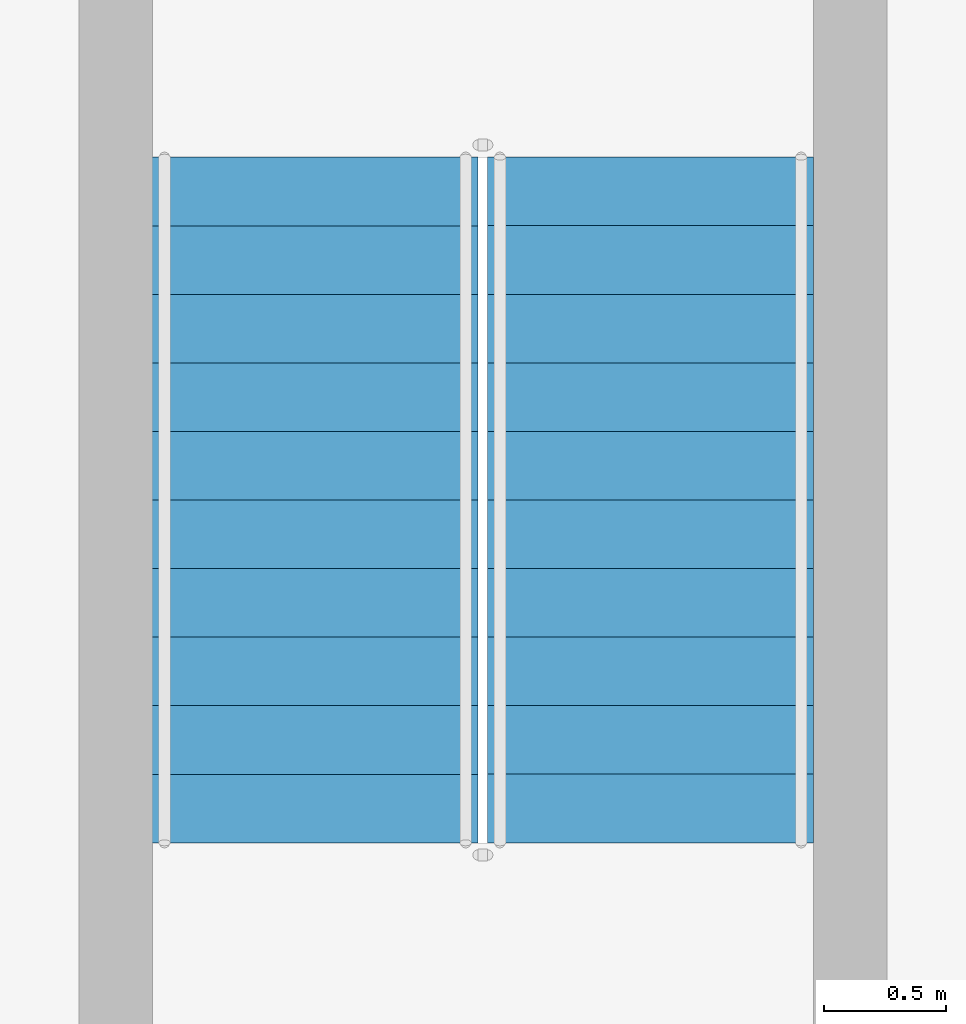
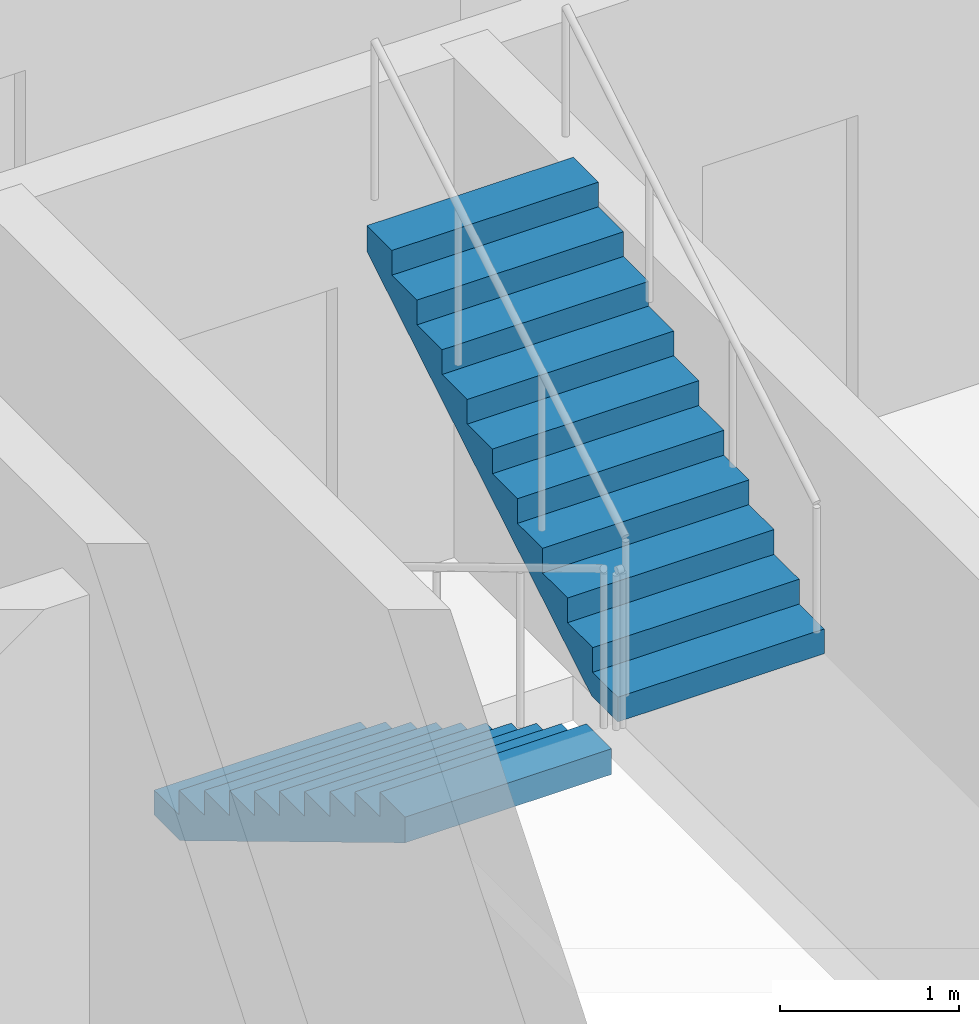
# One storey, part 16 of 23: 2 stair flights, 1 element without a shape of its own.
"""IFC4 building model written with IfcOpenShell, lengths in metres."""

from ifc_helpers import new_model, si_unit, direction, frame, origin, place, context, subcontext, project, spatial, triangles, source, transform, mapped, material, type_object, element, aggregate, save


model = new_model("IFC4")

# Units and contexts
model_context = context("Model", 3, precision=1e-05, world=origin(), true_north=direction((0.0, 1.0)))
body_context = subcontext(model_context, "Body", "Model", "MODEL_VIEW")
ifc_project = project(units=[si_unit("LENGTHUNIT", "METRE"), si_unit("AREAUNIT", "SQUARE_METRE"), si_unit("VOLUMEUNIT", "CUBIC_METRE"), si_unit("PLANEANGLEUNIT", "RADIAN"), si_unit("MASSUNIT", "GRAM", prefix="KILO")], contexts=[model_context])

# Site, building, storey
site_placement = place(None, origin())
site = spatial("IfcSite", under=ifc_project, at=site_placement, CompositionType="ELEMENT")
building_placement = place(site_placement, origin())
building = spatial("IfcBuilding", under=site, at=building_placement, Name="Ogive Portal Towers", CompositionType="ELEMENT")
storey_placement = place(building_placement, frame((0.0, 0.0, 186.60009765625)))
storey = spatial("IfcBuildingStorey", under=building, at=storey_placement, Name="L46", CompositionType="ELEMENT", Elevation=186.60009765625)

# Stair, stair flights
ifc_material = material(Name="Concrete C40/50", Category="concrete")
stair_type = type_object("IfcStairType", Name="INT-STAIR", PredefinedType="HALF_TURN_STAIR", material=ifc_material)
stair_placement = place(storey_placement, origin())
stair = element("IfcStair", 1, at=stair_placement, inside=storey, type_object=stair_type, Name="L46 Exit Stair ST-A4", PredefinedType="HALF_TURN_STAIR")
stair_flight_type = type_object("IfcStairFlightType", Name="INT-FLIGHT", PredefinedType="STRAIGHT", material=ifc_material)
shared_shape = source(origin(), body_context, "Body", "Tessellation", [
    triangles([(0.0, -0.6650390625, 0.0), (0.0, -0.384765625, 0.0), (0.0, -0.197021484375, 0.0), (0.0, -0.0830078125, 0.0), (0.0, -0.024658203125, 0.0), (0.0, -0.003173828125, 0.0), (0.0, 0.0, 0.0), (0.0, 0.003173828125, 0.0), (0.0, 0.024658203125, 0.0), (0.0, 0.0830078125, 0.0), (0.0, 0.197021484375, 0.0), (0.0, 0.384765625, 0.0), (0.0, 0.6650390625, 0.0), (0.0, -0.6650390625, 0.168212890625), (0.0, -0.384765625, 0.168212890625), (0.0, -0.197021484375, 0.168212890625), (0.0, -0.0830078125, 0.168212890625), (0.0, -0.024658203125, 0.168212890625), (0.0, -0.003173828125, 0.168212890625), (0.0, 0.0, 0.168212890625), (0.0, 0.003173828125, 0.168212890625), (0.0, 0.024658203125, 0.168212890625), (0.0, 0.0830078125, 0.168212890625), (0.0, 0.197021484375, 0.168212890625), (0.0, 0.384765625, 0.168212890625), (0.0, 0.6650390625, 0.168212890625), (0.280029296875, -0.6650390625, 0.168212890625), (0.280029296875, -0.384765625, 0.168212890625), (0.280029296875, -0.197021484375, 0.168212890625), (0.280029296875, -0.0830078125, 0.168212890625), (0.280029296875, -0.024658203125, 0.168212890625), (0.280029296875, -0.003173828125, 0.168212890625), (0.280029296875, 0.0, 0.168212890625), (0.280029296875, 0.003173828125, 0.168212890625), (0.280029296875, 0.024658203125, 0.168212890625), (0.280029296875, 0.0830078125, 0.168212890625), (0.280029296875, 0.197021484375, 0.168212890625), (0.280029296875, 0.384765625, 0.168212890625), (0.280029296875, 0.6650390625, 0.168212890625), (0.280029296875, -0.6650390625, 0.33642578125), (0.280029296875, -0.384765625, 0.33642578125), (0.280029296875, -0.197021484375, 0.33642578125), (0.280029296875, -0.0830078125, 0.33642578125), (0.280029296875, -0.024658203125, 0.33642578125), (0.280029296875, -0.003173828125, 0.33642578125), (0.280029296875, 0.0, 0.33642578125), (0.280029296875, 0.003173828125, 0.33642578125), (0.280029296875, 0.024658203125, 0.33642578125), (0.280029296875, 0.0830078125, 0.33642578125), (0.280029296875, 0.197021484375, 0.33642578125), (0.280029296875, 0.384765625, 0.33642578125), (0.280029296875, 0.6650390625, 0.33642578125), (0.56005859375, -0.6650390625, 0.33642578125), (0.56005859375, -0.384765625, 0.33642578125), (0.56005859375, -0.197021484375, 0.33642578125), (0.56005859375, -0.0830078125, 0.33642578125), (0.56005859375, -0.024658203125, 0.33642578125), (0.56005859375, -0.003173828125, 0.33642578125), (0.56005859375, 0.0, 0.33642578125), (0.56005859375, 0.003173828125, 0.33642578125), (0.56005859375, 0.024658203125, 0.33642578125), (0.56005859375, 0.0830078125, 0.33642578125), (0.56005859375, 0.197021484375, 0.33642578125), (0.56005859375, 0.384765625, 0.33642578125), (0.56005859375, 0.6650390625, 0.33642578125), (0.56005859375, -0.6650390625, 0.504638671875), (0.56005859375, -0.384765625, 0.504638671875), (0.56005859375, -0.197021484375, 0.504638671875), (0.56005859375, -0.0830078125, 0.504638671875), (0.56005859375, -0.024658203125, 0.504638671875), (0.56005859375, -0.003173828125, 0.504638671875), (0.56005859375, 0.0, 0.504638671875), (0.56005859375, 0.003173828125, 0.504638671875), (0.56005859375, 0.024658203125, 0.504638671875), (0.56005859375, 0.0830078125, 0.504638671875), (0.56005859375, 0.197021484375, 0.504638671875), (0.56005859375, 0.384765625, 0.504638671875), (0.56005859375, 0.6650390625, 0.504638671875), (0.840087890625, -0.6650390625, 0.504638671875), (0.840087890625, -0.384765625, 0.504638671875), (0.840087890625, -0.197021484375, 0.504638671875), (0.840087890625, -0.0830078125, 0.504638671875), (0.840087890625, -0.024658203125, 0.504638671875), (0.840087890625, -0.003173828125, 0.504638671875), (0.840087890625, 0.0, 0.504638671875), (0.840087890625, 0.003173828125, 0.504638671875), (0.840087890625, 0.024658203125, 0.504638671875), (0.840087890625, 0.0830078125, 0.504638671875), (0.840087890625, 0.197021484375, 0.504638671875), (0.840087890625, 0.384765625, 0.504638671875), (0.840087890625, 0.6650390625, 0.504638671875), (0.840087890625, -0.6650390625, 0.672607421875), (0.840087890625, -0.384765625, 0.672607421875), (0.840087890625, -0.197021484375, 0.672607421875), (0.840087890625, -0.0830078125, 0.672607421875), (0.840087890625, -0.024658203125, 0.672607421875), (0.840087890625, -0.003173828125, 0.672607421875), (0.840087890625, 0.0, 0.672607421875), (0.840087890625, 0.003173828125, 0.672607421875), (0.840087890625, 0.024658203125, 0.672607421875), (0.840087890625, 0.0830078125, 0.672607421875), (0.840087890625, 0.197021484375, 0.672607421875), (0.840087890625, 0.384765625, 0.672607421875), (0.840087890625, 0.6650390625, 0.672607421875), (1.1201171875, -0.6650390625, 0.672607421875), (1.1201171875, -0.384765625, 0.672607421875), (1.1201171875, -0.197021484375, 0.672607421875), (1.1201171875, -0.0830078125, 0.672607421875), (1.1201171875, -0.024658203125, 0.672607421875), (1.1201171875, -0.003173828125, 0.672607421875), (1.1201171875, 0.0, 0.672607421875), (1.1201171875, 0.003173828125, 0.672607421875), (1.1201171875, 0.024658203125, 0.672607421875), (1.1201171875, 0.0830078125, 0.672607421875), (1.1201171875, 0.197021484375, 0.672607421875), (1.1201171875, 0.384765625, 0.672607421875), (1.1201171875, 0.6650390625, 0.672607421875), (1.1201171875, -0.6650390625, 0.8408203125), (1.1201171875, -0.384765625, 0.8408203125), (1.1201171875, -0.197021484375, 0.8408203125), (1.1201171875, -0.0830078125, 0.8408203125), (1.1201171875, -0.024658203125, 0.8408203125), (1.1201171875, -0.003173828125, 0.8408203125), (1.1201171875, 0.0, 0.8408203125), (1.1201171875, 0.003173828125, 0.8408203125), (1.1201171875, 0.024658203125, 0.8408203125), (1.1201171875, 0.0830078125, 0.8408203125), (1.1201171875, 0.197021484375, 0.8408203125), (1.1201171875, 0.384765625, 0.8408203125), (1.1201171875, 0.6650390625, 0.8408203125), (1.39990234375, -0.6650390625, 0.8408203125), (1.39990234375, -0.384765625, 0.8408203125), (1.39990234375, -0.197021484375, 0.8408203125), (1.39990234375, -0.0830078125, 0.8408203125), (1.39990234375, -0.024658203125, 0.8408203125), (1.39990234375, -0.003173828125, 0.8408203125), (1.39990234375, 0.0, 0.8408203125), (1.39990234375, 0.003173828125, 0.8408203125), (1.39990234375, 0.024658203125, 0.8408203125), (1.39990234375, 0.0830078125, 0.8408203125), (1.39990234375, 0.197021484375, 0.8408203125), (1.39990234375, 0.384765625, 0.8408203125), (1.39990234375, 0.6650390625, 0.8408203125), (1.39990234375, -0.6650390625, 1.009033203125), (1.39990234375, -0.384765625, 1.009033203125), (1.39990234375, -0.197021484375, 1.009033203125), (1.39990234375, -0.0830078125, 1.009033203125), (1.39990234375, -0.024658203125, 1.009033203125), (1.39990234375, -0.003173828125, 1.009033203125), (1.39990234375, 0.0, 1.009033203125), (1.39990234375, 0.003173828125, 1.009033203125), (1.39990234375, 0.024658203125, 1.009033203125), (1.39990234375, 0.0830078125, 1.009033203125), (1.39990234375, 0.197021484375, 1.009033203125), (1.39990234375, 0.384765625, 1.009033203125), (1.39990234375, 0.6650390625, 1.009033203125), (1.679931640625, -0.6650390625, 1.009033203125), (1.679931640625, -0.384765625, 1.009033203125), (1.679931640625, -0.197021484375, 1.009033203125), (1.679931640625, -0.0830078125, 1.009033203125), (1.679931640625, -0.024658203125, 1.009033203125), (1.679931640625, -0.003173828125, 1.009033203125), (1.679931640625, 0.0, 1.009033203125), (1.679931640625, 0.003173828125, 1.009033203125), (1.679931640625, 0.024658203125, 1.009033203125), (1.679931640625, 0.0830078125, 1.009033203125), (1.679931640625, 0.197021484375, 1.009033203125), (1.679931640625, 0.384765625, 1.009033203125), (1.679931640625, 0.6650390625, 1.009033203125), (1.679931640625, -0.6650390625, 1.17724609375), (1.679931640625, -0.384765625, 1.17724609375), (1.679931640625, -0.197021484375, 1.17724609375), (1.679931640625, -0.0830078125, 1.17724609375), (1.679931640625, -0.024658203125, 1.17724609375), (1.679931640625, -0.003173828125, 1.17724609375), (1.679931640625, 0.0, 1.17724609375), (1.679931640625, 0.003173828125, 1.17724609375), (1.679931640625, 0.024658203125, 1.17724609375), (1.679931640625, 0.0830078125, 1.17724609375), (1.679931640625, 0.197021484375, 1.17724609375), (1.679931640625, 0.384765625, 1.17724609375), (1.679931640625, 0.6650390625, 1.17724609375), (1.9599609375, -0.6650390625, 1.17724609375), (1.9599609375, -0.384765625, 1.17724609375), (1.9599609375, -0.197021484375, 1.17724609375), (1.9599609375, -0.0830078125, 1.17724609375), (1.9599609375, -0.024658203125, 1.17724609375), (1.9599609375, -0.003173828125, 1.17724609375), (1.9599609375, 0.0, 1.17724609375), (1.9599609375, 0.003173828125, 1.17724609375), (1.9599609375, 0.024658203125, 1.17724609375), (1.9599609375, 0.0830078125, 1.17724609375), (1.9599609375, 0.197021484375, 1.17724609375), (1.9599609375, 0.384765625, 1.17724609375), (1.9599609375, 0.6650390625, 1.17724609375), (1.9599609375, -0.6650390625, 1.345458984375), (1.9599609375, -0.384765625, 1.345458984375), (1.9599609375, -0.197021484375, 1.345458984375), (1.9599609375, -0.0830078125, 1.345458984375), (1.9599609375, -0.024658203125, 1.345458984375), (1.9599609375, -0.003173828125, 1.345458984375), (1.9599609375, 0.0, 1.345458984375), (1.9599609375, 0.003173828125, 1.345458984375), (1.9599609375, 0.024658203125, 1.345458984375), (1.9599609375, 0.0830078125, 1.345458984375), (1.9599609375, 0.197021484375, 1.345458984375), (1.9599609375, 0.384765625, 1.345458984375), (1.9599609375, 0.6650390625, 1.345458984375), (2.239990234375, -0.6650390625, 1.345458984375), (2.239990234375, -0.384765625, 1.345458984375), (2.239990234375, -0.197021484375, 1.345458984375), (2.239990234375, -0.0830078125, 1.345458984375), (2.239990234375, -0.024658203125, 1.345458984375), (2.239990234375, -0.003173828125, 1.345458984375), (2.239990234375, 0.0, 1.345458984375), (2.239990234375, 0.003173828125, 1.345458984375), (2.239990234375, 0.024658203125, 1.345458984375), (2.239990234375, 0.0830078125, 1.345458984375), (2.239990234375, 0.197021484375, 1.345458984375), (2.239990234375, 0.384765625, 1.345458984375), (2.239990234375, 0.6650390625, 1.345458984375), (2.239990234375, -0.6650390625, 1.513671875), (2.239990234375, -0.384765625, 1.513671875), (2.239990234375, -0.197021484375, 1.513671875), (2.239990234375, -0.0830078125, 1.513671875), (2.239990234375, -0.024658203125, 1.513671875), (2.239990234375, -0.003173828125, 1.513671875), (2.239990234375, 0.0, 1.513671875), (2.239990234375, 0.003173828125, 1.513671875), (2.239990234375, 0.024658203125, 1.513671875), (2.239990234375, 0.0830078125, 1.513671875), (2.239990234375, 0.197021484375, 1.513671875), (2.239990234375, 0.384765625, 1.513671875), (2.239990234375, 0.6650390625, 1.513671875), (2.52001953125, -0.6650390625, 1.513671875), (2.52001953125, -0.384765625, 1.513671875), (2.52001953125, -0.197021484375, 1.513671875), (2.52001953125, -0.0830078125, 1.513671875), (2.52001953125, -0.024658203125, 1.513671875), (2.52001953125, -0.003173828125, 1.513671875), (2.52001953125, 0.0, 1.513671875), (2.52001953125, 0.003173828125, 1.513671875), (2.52001953125, 0.024658203125, 1.513671875), (2.52001953125, 0.0830078125, 1.513671875), (2.52001953125, 0.197021484375, 1.513671875), (2.52001953125, 0.384765625, 1.513671875), (2.52001953125, 0.6650390625, 1.513671875), (2.52001953125, -0.6650390625, 1.681884765625), (2.52001953125, -0.384765625, 1.681884765625), (2.52001953125, -0.197021484375, 1.681884765625), (2.52001953125, -0.0830078125, 1.681884765625), (2.52001953125, -0.024658203125, 1.681884765625), (2.52001953125, -0.003173828125, 1.681884765625), (2.52001953125, 0.0, 1.681884765625), (2.52001953125, 0.003173828125, 1.681884765625), (2.52001953125, 0.024658203125, 1.681884765625), (2.52001953125, 0.0830078125, 1.681884765625), (2.52001953125, 0.197021484375, 1.681884765625), (2.52001953125, 0.384765625, 1.681884765625), (2.52001953125, 0.6650390625, 1.681884765625), (2.800048828125, -0.6650390625, 1.681884765625), (2.800048828125, -0.384765625, 1.681884765625), (2.800048828125, -0.197021484375, 1.681884765625), (2.800048828125, -0.0830078125, 1.681884765625), (2.800048828125, -0.024658203125, 1.681884765625), (2.800048828125, -0.003173828125, 1.681884765625), (2.800048828125, 0.0, 1.681884765625), (2.800048828125, 0.003173828125, 1.681884765625), (2.800048828125, 0.024658203125, 1.681884765625), (2.800048828125, 0.0830078125, 1.681884765625), (2.800048828125, 0.197021484375, 1.681884765625), (2.800048828125, 0.384765625, 1.681884765625), (2.800048828125, 0.6650390625, 1.681884765625), (2.800048828125, -0.6650390625, 1.5068359375), (2.800048828125, -0.384765625, 1.5068359375), (2.800048828125, -0.197021484375, 1.5068359375), (2.800048828125, -0.0830078125, 1.5068359375), (2.800048828125, -0.024658203125, 1.5068359375), (2.800048828125, -0.003173828125, 1.5068359375), (2.800048828125, 0.0, 1.5068359375), (2.800048828125, 0.003173828125, 1.5068359375), (2.800048828125, 0.024658203125, 1.5068359375), (2.800048828125, 0.0830078125, 1.5068359375), (2.800048828125, 0.197021484375, 1.5068359375), (2.800048828125, 0.384765625, 1.5068359375), (2.800048828125, 0.6650390625, 1.5068359375), (0.291015625, -0.6650390625, 0.0), (0.291015625, -0.384765625, 0.0), (0.291015625, -0.197021484375, 0.0), (0.291015625, -0.0830078125, 0.0), (0.291015625, -0.024658203125, 0.0), (0.291015625, -0.003173828125, 0.0), (0.291015625, 0.0, 0.0), (0.291015625, 0.003173828125, 0.0), (0.291015625, 0.024658203125, 0.0), (0.291015625, 0.0830078125, 0.0), (0.291015625, 0.197021484375, 0.0), (0.291015625, 0.384765625, 0.0), (0.291015625, 0.6650390625, 0.0)], [[1, 14, 15], [1, 15, 2], [2, 15, 16], [2, 16, 3], [3, 16, 17], [3, 17, 4], [4, 17, 18], [4, 18, 5], [5, 18, 19], [5, 19, 6], [6, 19, 20], [6, 20, 7], [7, 20, 21], [7, 21, 8], [8, 21, 22], [8, 22, 9], [9, 22, 23], [9, 23, 10], [10, 23, 24], [10, 24, 11], [11, 24, 25], [11, 25, 12], [12, 25, 26], [12, 26, 13], [14, 27, 28], [14, 28, 15], [15, 28, 29], [15, 29, 16], [16, 29, 30], [16, 30, 17], [17, 30, 31], [17, 31, 18], [18, 31, 32], [18, 32, 19], [19, 32, 33], [19, 33, 20], [20, 33, 34], [20, 34, 21], [21, 34, 35], [21, 35, 22], [22, 35, 36], [22, 36, 23], [23, 36, 37], [23, 37, 24], [24, 37, 38], [24, 38, 25], [25, 38, 39], [25, 39, 26], [27, 40, 41], [27, 41, 28], [28, 41, 42], [28, 42, 29], [29, 42, 43], [29, 43, 30], [30, 43, 44], [30, 44, 31], [31, 44, 45], [31, 45, 32], [32, 45, 46], [32, 46, 33], [33, 46, 47], [33, 47, 34], [34, 47, 48], [34, 48, 35], [35, 48, 49], [35, 49, 36], [36, 49, 50], [36, 50, 37], [37, 50, 51], [37, 51, 38], [38, 51, 52], [38, 52, 39], [40, 53, 54], [40, 54, 41], [41, 54, 55], [41, 55, 42], [42, 55, 56], [42, 56, 43], [43, 56, 57], [43, 57, 44], [44, 57, 58], [44, 58, 45], [45, 58, 59], [45, 59, 46], [46, 59, 60], [46, 60, 47], [47, 60, 61], [47, 61, 48], [48, 61, 62], [48, 62, 49], [49, 62, 63], [49, 63, 50], [50, 63, 64], [50, 64, 51], [51, 64, 65], [51, 65, 52], [53, 66, 67], [53, 67, 54], [54, 67, 68], [54, 68, 55], [55, 68, 69], [55, 69, 56], [56, 69, 70], [56, 70, 57], [57, 70, 71], [57, 71, 58], [58, 71, 72], [58, 72, 59], [59, 72, 73], [59, 73, 60], [60, 73, 74], [60, 74, 61], [61, 74, 75], [61, 75, 62], [62, 75, 76], [62, 76, 63], [63, 76, 77], [63, 77, 64], [64, 77, 78], [64, 78, 65], [66, 79, 80], [66, 80, 67], [67, 80, 81], [67, 81, 68], [68, 81, 82], [68, 82, 69], [69, 82, 83], [69, 83, 70], [70, 83, 84], [70, 84, 71], [71, 84, 85], [71, 85, 72], [72, 85, 86], [72, 86, 73], [73, 86, 87], [73, 87, 74], [74, 87, 88], [74, 88, 75], [75, 88, 89], [75, 89, 76], [76, 89, 90], [76, 90, 77], [77, 90, 91], [77, 91, 78], [79, 92, 93], [79, 93, 80], [80, 93, 94], [80, 94, 81], [81, 94, 95], [81, 95, 82], [82, 95, 96], [82, 96, 83], [83, 96, 97], [83, 97, 84], [84, 97, 98], [84, 98, 85], [85, 98, 99], [85, 99, 86], [86, 99, 100], [86, 100, 87], [87, 100, 101], [87, 101, 88], [88, 101, 102], [88, 102, 89], [89, 102, 103], [89, 103, 90], [90, 103, 104], [90, 104, 91], [92, 105, 106], [92, 106, 93], [93, 106, 107], [93, 107, 94], [94, 107, 108], [94, 108, 95], [95, 108, 109], [95, 109, 96], [96, 109, 110], [96, 110, 97], [97, 110, 111], [97, 111, 98], [98, 111, 112], [98, 112, 99], [99, 112, 113], [99, 113, 100], [100, 113, 114], [100, 114, 101], [101, 114, 115], [101, 115, 102], [102, 115, 116], [102, 116, 103], [103, 116, 117], [103, 117, 104], [105, 118, 119], [105, 119, 106], [106, 119, 120], [106, 120, 107], [107, 120, 121], [107, 121, 108], [108, 121, 122], [108, 122, 109], [109, 122, 123], [109, 123, 110], [110, 123, 124], [110, 124, 111], [111, 124, 125], [111, 125, 112], [112, 125, 126], [112, 126, 113], [113, 126, 127], [113, 127, 114], [114, 127, 128], [114, 128, 115], [115, 128, 129], [115, 129, 116], [116, 129, 130], [116, 130, 117], [118, 131, 132], [118, 132, 119], [119, 132, 133], [119, 133, 120], [120, 133, 134], [120, 134, 121], [121, 134, 135], [121, 135, 122], [122, 135, 136], [122, 136, 123], [123, 136, 137], [123, 137, 124], [124, 137, 138], [124, 138, 125], [125, 138, 139], [125, 139, 126], [126, 139, 140], [126, 140, 127], [127, 140, 141], [127, 141, 128], [128, 141, 142], [128, 142, 129], [129, 142, 143], [129, 143, 130], [131, 144, 145], [131, 145, 132], [132, 145, 146], [132, 146, 133], [133, 146, 147], [133, 147, 134], [134, 147, 148], [134, 148, 135], [135, 148, 149], [135, 149, 136], [136, 149, 150], [136, 150, 137], [137, 150, 151], [137, 151, 138], [138, 151, 152], [138, 152, 139], [139, 152, 153], [139, 153, 140], [140, 153, 154], [140, 154, 141], [141, 154, 155], [141, 155, 142], [142, 155, 156], [142, 156, 143], [144, 157, 158], [144, 158, 145], [145, 158, 159], [145, 159, 146], [146, 159, 160], [146, 160, 147], [147, 160, 161], [147, 161, 148], [148, 161, 162], [148, 162, 149], [149, 162, 163], [149, 163, 150], [150, 163, 164], [150, 164, 151], [151, 164, 165], [151, 165, 152], [152, 165, 166], [152, 166, 153], [153, 166, 167], [153, 167, 154], [154, 167, 168], [154, 168, 155], [155, 168, 169], [155, 169, 156], [157, 170, 171], [157, 171, 158], [158, 171, 172], [158, 172, 159], [159, 172, 173], [159, 173, 160], [160, 173, 174], [160, 174, 161], [161, 174, 175], [161, 175, 162], [162, 175, 176], [162, 176, 163], [163, 176, 177], [163, 177, 164], [164, 177, 178], [164, 178, 165], [165, 178, 179], [165, 179, 166], [166, 179, 180], [166, 180, 167], [167, 180, 181], [167, 181, 168], [168, 181, 182], [168, 182, 169], [170, 183, 184], [170, 184, 171], [171, 184, 185], [171, 185, 172], [172, 185, 186], [172, 186, 173], [173, 186, 187], [173, 187, 174], [174, 187, 188], [174, 188, 175], [175, 188, 189], [175, 189, 176], [176, 189, 190], [176, 190, 177], [177, 190, 191], [177, 191, 178], [178, 191, 192], [178, 192, 179], [179, 192, 193], [179, 193, 180], [180, 193, 194], [180, 194, 181], [181, 194, 195], [181, 195, 182], [183, 196, 197], [183, 197, 184], [184, 197, 198], [184, 198, 185], [185, 198, 199], [185, 199, 186], [186, 199, 200], [186, 200, 187], [187, 200, 201], [187, 201, 188], [188, 201, 202], [188, 202, 189], [189, 202, 203], [189, 203, 190], [190, 203, 204], [190, 204, 191], [191, 204, 205], [191, 205, 192], [192, 205, 206], [192, 206, 193], [193, 206, 207], [193, 207, 194], [194, 207, 208], [194, 208, 195], [196, 209, 210], [196, 210, 197], [197, 210, 211], [197, 211, 198], [198, 211, 212], [198, 212, 199], [199, 212, 213], [199, 213, 200], [200, 213, 214], [200, 214, 201], [201, 214, 215], [201, 215, 202], [202, 215, 216], [202, 216, 203], [203, 216, 217], [203, 217, 204], [204, 217, 218], [204, 218, 205], [205, 218, 219], [205, 219, 206], [206, 219, 220], [206, 220, 207], [207, 220, 221], [207, 221, 208], [209, 222, 223], [209, 223, 210], [210, 223, 224], [210, 224, 211], [211, 224, 225], [211, 225, 212], [212, 225, 226], [212, 226, 213], [213, 226, 227], [213, 227, 214], [214, 227, 228], [214, 228, 215], [215, 228, 229], [215, 229, 216], [216, 229, 230], [216, 230, 217], [217, 230, 231], [217, 231, 218], [218, 231, 232], [218, 232, 219], [219, 232, 233], [219, 233, 220], [220, 233, 234], [220, 234, 221], [222, 235, 236], [222, 236, 223], [223, 236, 237], [223, 237, 224], [224, 237, 238], [224, 238, 225], [225, 238, 239], [225, 239, 226], [226, 239, 240], [226, 240, 227], [227, 240, 241], [227, 241, 228], [228, 241, 242], [228, 242, 229], [229, 242, 243], [229, 243, 230], [230, 243, 244], [230, 244, 231], [231, 244, 245], [231, 245, 232], [232, 245, 246], [232, 246, 233], [233, 246, 247], [233, 247, 234], [235, 248, 249], [235, 249, 236], [236, 249, 250], [236, 250, 237], [237, 250, 251], [237, 251, 238], [238, 251, 252], [238, 252, 239], [239, 252, 253], [239, 253, 240], [240, 253, 254], [240, 254, 241], [241, 254, 255], [241, 255, 242], [242, 255, 256], [242, 256, 243], [243, 256, 257], [243, 257, 244], [244, 257, 258], [244, 258, 245], [245, 258, 259], [245, 259, 246], [246, 259, 260], [246, 260, 247], [248, 261, 262], [248, 262, 249], [249, 262, 263], [249, 263, 250], [250, 263, 264], [250, 264, 251], [251, 264, 265], [251, 265, 252], [252, 265, 266], [252, 266, 253], [253, 266, 267], [253, 267, 254], [254, 267, 268], [254, 268, 255], [255, 268, 269], [255, 269, 256], [256, 269, 270], [256, 270, 257], [257, 270, 271], [257, 271, 258], [258, 271, 272], [258, 272, 259], [259, 272, 273], [259, 273, 260], [261, 274, 275], [261, 275, 262], [262, 275, 276], [262, 276, 263], [263, 276, 277], [263, 277, 264], [264, 277, 278], [264, 278, 265], [265, 278, 279], [265, 279, 266], [266, 279, 280], [266, 280, 267], [267, 280, 281], [267, 281, 268], [268, 281, 282], [268, 282, 269], [269, 282, 283], [269, 283, 270], [270, 283, 284], [270, 284, 271], [271, 284, 285], [271, 285, 272], [272, 285, 286], [272, 286, 273], [274, 287, 288], [274, 288, 275], [275, 288, 289], [275, 289, 276], [276, 289, 290], [276, 290, 277], [277, 290, 291], [277, 291, 278], [278, 291, 292], [278, 292, 279], [279, 292, 293], [279, 293, 280], [280, 293, 294], [280, 294, 281], [281, 294, 295], [281, 295, 282], [282, 295, 296], [282, 296, 283], [283, 296, 297], [283, 297, 284], [284, 297, 298], [284, 298, 285], [285, 298, 299], [285, 299, 286], [287, 1, 2], [287, 2, 288], [288, 2, 3], [288, 3, 289], [289, 3, 4], [289, 4, 290], [290, 4, 5], [290, 5, 291], [291, 5, 6], [291, 6, 292], [292, 6, 7], [292, 7, 293], [293, 7, 8], [293, 8, 294], [294, 8, 9], [294, 9, 295], [295, 9, 10], [295, 10, 296], [296, 10, 11], [296, 11, 297], [297, 11, 12], [297, 12, 298], [298, 12, 13], [298, 13, 299], [1, 287, 274], [13, 286, 299], [274, 261, 248], [286, 260, 273], [274, 248, 235], [286, 247, 260], [274, 235, 222], [286, 234, 247], [274, 222, 209], [286, 221, 234], [209, 196, 183], [221, 195, 208], [274, 209, 183], [286, 195, 221], [183, 170, 157], [195, 169, 182], [274, 183, 157], [286, 169, 195], [157, 144, 131], [169, 143, 156], [274, 157, 131], [286, 143, 169], [131, 118, 105], [143, 117, 130], [274, 131, 105], [286, 117, 143], [1, 274, 105], [13, 117, 286], [105, 92, 79], [117, 91, 104], [79, 66, 53], [91, 65, 78], [105, 79, 53], [117, 65, 91], [53, 40, 27], [65, 39, 52], [105, 53, 27], [117, 39, 65], [1, 105, 27], [13, 39, 117], [27, 14, 1], [39, 13, 26]], closed=True),
])
stair_flight_1_placement = place(storey_placement, frame((87.6650390625, 29.169921875, 0.0), z_axis=(0.0, 0.0, 1.0), x_axis=(0.0, -1.0, 0.0)))
stair_flight_1 = element("IfcStairFlight", 2, at=stair_flight_1_placement, type_object=stair_flight_type, Name="ST-A4 flight 1", NumberOfRisers=11, NumberOfTreads=10, PredefinedType="STRAIGHT", RiserHeight=0.168181818, TreadLength=0.28, context=body_context, shape_type="MappedRepresentation", body=[
    mapped(shared_shape, transform((0.0, 0.0, 0.0), scale=1.0)),
])
stair_flight_2_placement = place(storey_placement, frame((89.034912109375, 26.3701171875, 1.849853515625), z_axis=(0.0, 0.0, 1.0), x_axis=(0.0, 1.0, 0.0)))
stair_flight_2 = element("IfcStairFlight", 3, at=stair_flight_2_placement, type_object=stair_flight_type, Name="ST-A4 flight 2", NumberOfRisers=11, NumberOfTreads=10, PredefinedType="STRAIGHT", RiserHeight=0.168181818, TreadLength=0.28, context=body_context, shape_type="MappedRepresentation", body=[
    mapped(shared_shape, transform((0.0, 0.0, 0.0), scale=1.0)),
])
aggregate(stair, [stair_flight_1, stair_flight_2])

save(model, "model.ifc")
